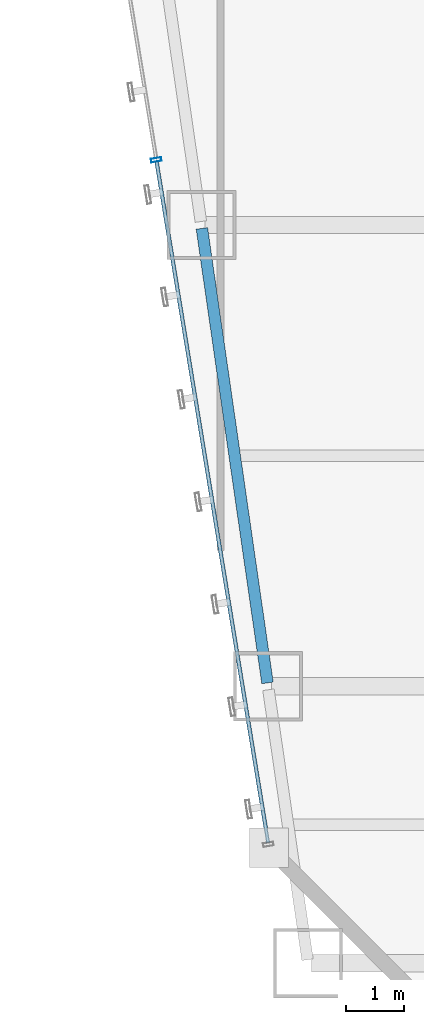
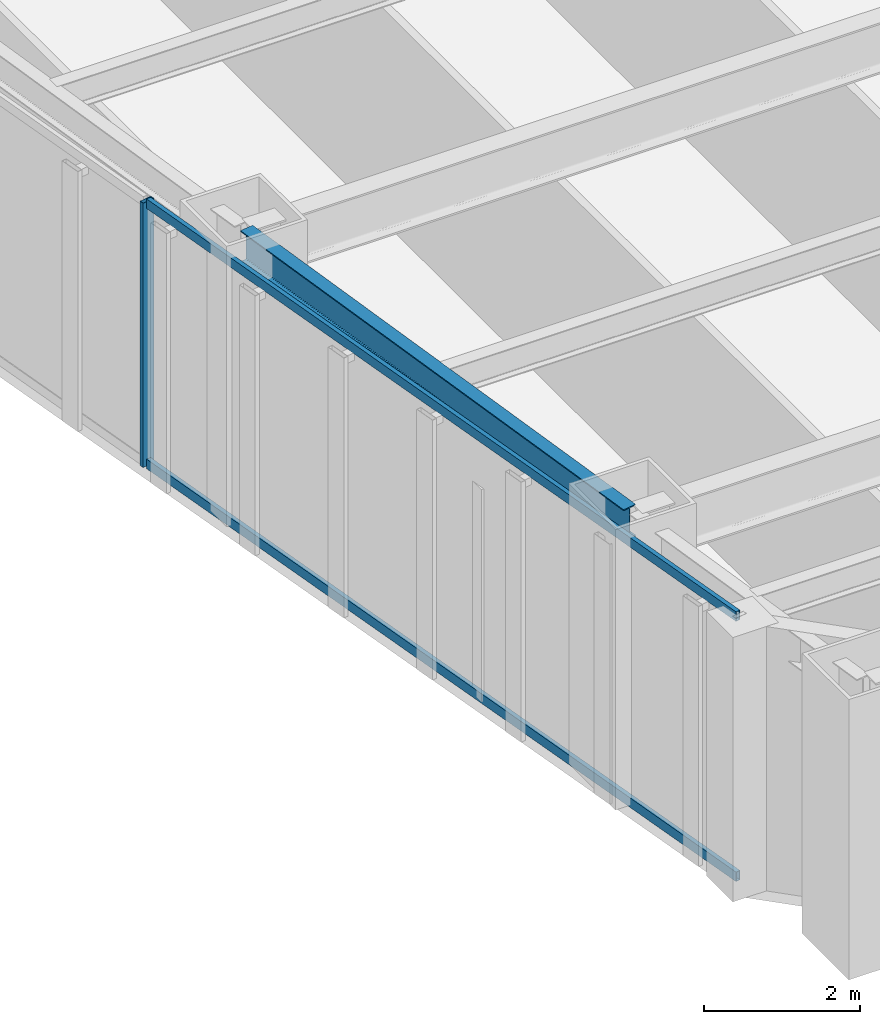
# One storey, part 5 of 47: 3 members, 1 beam, 1 element without a shape of its own.
"""IFC4 building model written with IfcOpenShell, lengths in metres."""

from ifc_helpers import new_model, si_unit, direction, frame, origin, origin_2d, place, context, subcontext, project, spatial, hollow_rectangle, i_section, extrude, material, material_profile, profile_set, type_object, element, aggregate, save


model = new_model("IFC4")

# Units and contexts
model_context = context("Model", 3, precision=1e-05, world=origin(), true_north=direction((0.0, 1.0)))
body_context = subcontext(model_context, "Body", "Model", "MODEL_VIEW")
ifc_project = project(units=[si_unit("LENGTHUNIT", "METRE"), si_unit("AREAUNIT", "SQUARE_METRE"), si_unit("VOLUMEUNIT", "CUBIC_METRE"), si_unit("PLANEANGLEUNIT", "RADIAN"), si_unit("MASSUNIT", "GRAM", prefix="KILO")], contexts=[model_context])

# Site, building, storey
site_placement = place(None, origin())
site = spatial("IfcSite", under=ifc_project, at=site_placement, CompositionType="ELEMENT")
building_placement = place(site_placement, origin())
building = spatial("IfcBuilding", under=site, at=building_placement, Name="Saevonmaru Cultural Tower", CompositionType="ELEMENT")
storey_placement = place(building_placement, frame((0.0, 0.0, 78.0)))
storey = spatial("IfcBuildingStorey", under=building, at=storey_placement, Name="L16", CompositionType="ELEMENT", Elevation=78.0)

# Beam
ifc_material_1 = material(Name="Steel SM355", Category="steel")
ifc_material_profile_1 = material_profile(ifc_material_1, i_section(OverallWidth=0.199951171875, OverallDepth=0.5, WebThickness=0.010009765625, FlangeThickness=0.01611328125, FilletRadius=0.02001953125, at=origin_2d()), Name="H-500x200x10x16")
ifc_profile_set_1 = profile_set([ifc_material_profile_1], Name="Steel SM355")
beam_type = type_object("IfcBeamType", Name="BM-SP-H500", PredefinedType="SPANDREL", material=ifc_profile_set_1)
beam_placement = place(storey_placement, frame((11.7744140625, 8.059326171875, 3.89990234375), z_axis=(-0.142871999001, 0.989741174197, 0.0), x_axis=(-0.989741174197, -0.142871999001, 0.0)))
element("IfcBeam", 1, at=beam_placement, inside=storey, type_object=beam_type, Name="L16 West Splayed Spandrel 2", PredefinedType="SPANDREL", context=body_context, shape_type="SweptSolid", body=[
    extrude(i_section(OverallWidth=0.199951171875, OverallDepth=0.5, WebThickness=0.010009765625, FlangeThickness=0.01611328125, FilletRadius=0.02001953125, at=origin_2d()), origin(), (0.0, 0.0, 1.0), 7.963134765625),
])

# Curtain wall, members
ifc_material_2 = material(Name="Satin Bronze Anodised Aluminium", Category="aluminium")
curtain_wall_type = type_object("IfcCurtainWallType", Name="CW-TYP-A", PredefinedType="NOTDEFINED", material=ifc_material_2)
curtain_wall_placement = place(storey_placement, origin())
curtain_wall = element("IfcCurtainWall", 2, at=curtain_wall_placement, inside=storey, type_object=curtain_wall_type, Name="L16 Unitised Curtain Wall E12", PredefinedType="NOTDEFINED")
ifc_material_profile_2 = material_profile(ifc_material_2, hollow_rectangle(XDim=0.06494140625, YDim=0.179931640625, WallThickness=0.00390625, at=origin_2d()), Name="ALU-MULL-180x65x4")
ifc_profile_set_2 = profile_set([ifc_material_profile_2], Name="Satin Bronze Anodised Aluminium")
member_type_1 = type_object("IfcMemberType", Name="ML-CW-180x65", PredefinedType="MULLION", material=ifc_profile_set_2)
member_1_placement = place(storey_placement, frame((9.84521484375, 17.129638671875, 0.0), z_axis=(0.0, 0.0, 1.0), x_axis=(0.161708868641, -0.986838508472, 0.0)))
member_1 = element("IfcMember", 3, at=member_1_placement, type_object=member_type_1, Name="CW-TW-L16-E12 mullion 4", PredefinedType="MULLION", context=body_context, shape_type="SweptSolid", body=[
    extrude(hollow_rectangle(XDim=0.06494140625, YDim=0.179931640625, WallThickness=0.00390625, at=origin_2d()), origin(), (0.0, 0.0, 1.0), 4.14990234375),
])
ifc_material_profile_3 = material_profile(ifc_material_2, hollow_rectangle(XDim=0.06494140625, YDim=0.14990234375, WallThickness=0.00390625, at=origin_2d()), Name="ALU-TRAN-150x65x4")
ifc_profile_set_3 = profile_set([ifc_material_profile_3], Name="Satin Bronze Anodised Aluminium")
member_type_2 = type_object("IfcMemberType", Name="TR-CW-150x65", PredefinedType="USERDEFINED", material=ifc_profile_set_3)
member_2_placement = place(storey_placement, frame((9.850341796875, 17.097412109375, 0.032470703125), z_axis=(0.161724530373, -0.986835941925, 0.0), x_axis=(0.986835941925, 0.161724530373, 0.0)))
member_2 = element("IfcMember", 4, at=member_2_placement, type_object=member_type_2, Name="CW-TW-L16-E12 transom 4.1", ObjectType="TRANSOM", PredefinedType="USERDEFINED", context=body_context, shape_type="SweptSolid", body=[
    extrude(hollow_rectangle(XDim=0.06494140625, YDim=0.14990234375, WallThickness=0.00390625, at=origin_2d()), origin(), (0.0, 0.0, 1.0), 11.963623046875),
])
member_3_placement = place(storey_placement, frame((9.850341796875, 17.097412109375, 4.117431640625), z_axis=(0.161724530373, -0.986835941925, 0.0), x_axis=(0.986835941925, 0.161724530373, 0.0)))
member_3 = element("IfcMember", 5, at=member_3_placement, type_object=member_type_2, Name="CW-TW-L16-E12 transom 4.2", ObjectType="TRANSOM", PredefinedType="USERDEFINED", context=body_context, shape_type="SweptSolid", body=[
    extrude(hollow_rectangle(XDim=0.06494140625, YDim=0.14990234375, WallThickness=0.00390625, at=origin_2d()), origin(), (0.0, 0.0, 1.0), 11.963623046875),
])
aggregate(curtain_wall, [member_1, member_2, member_3])

save(model, "model.ifc")
